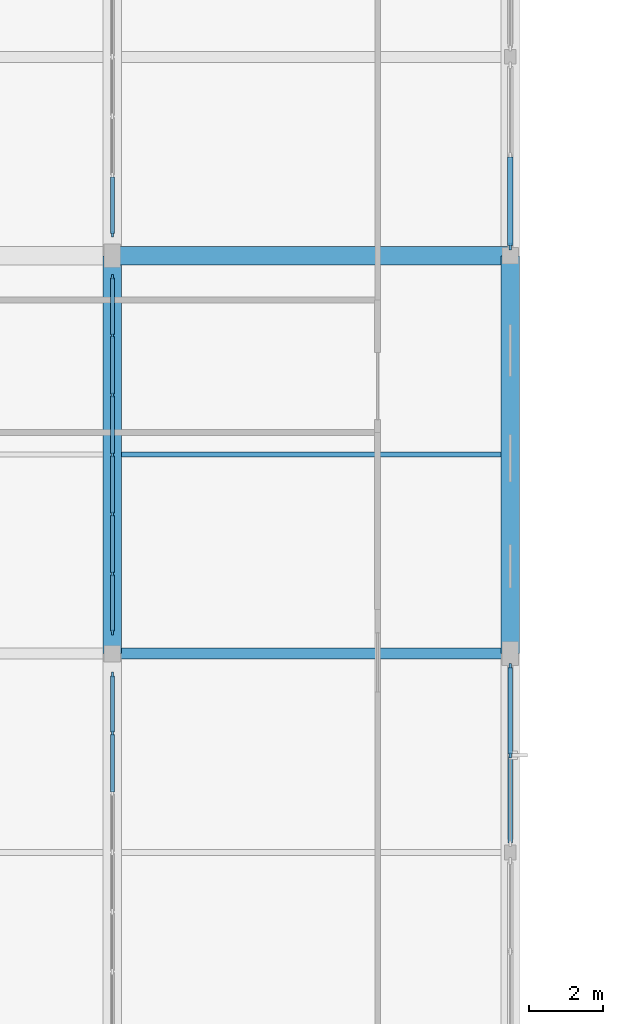
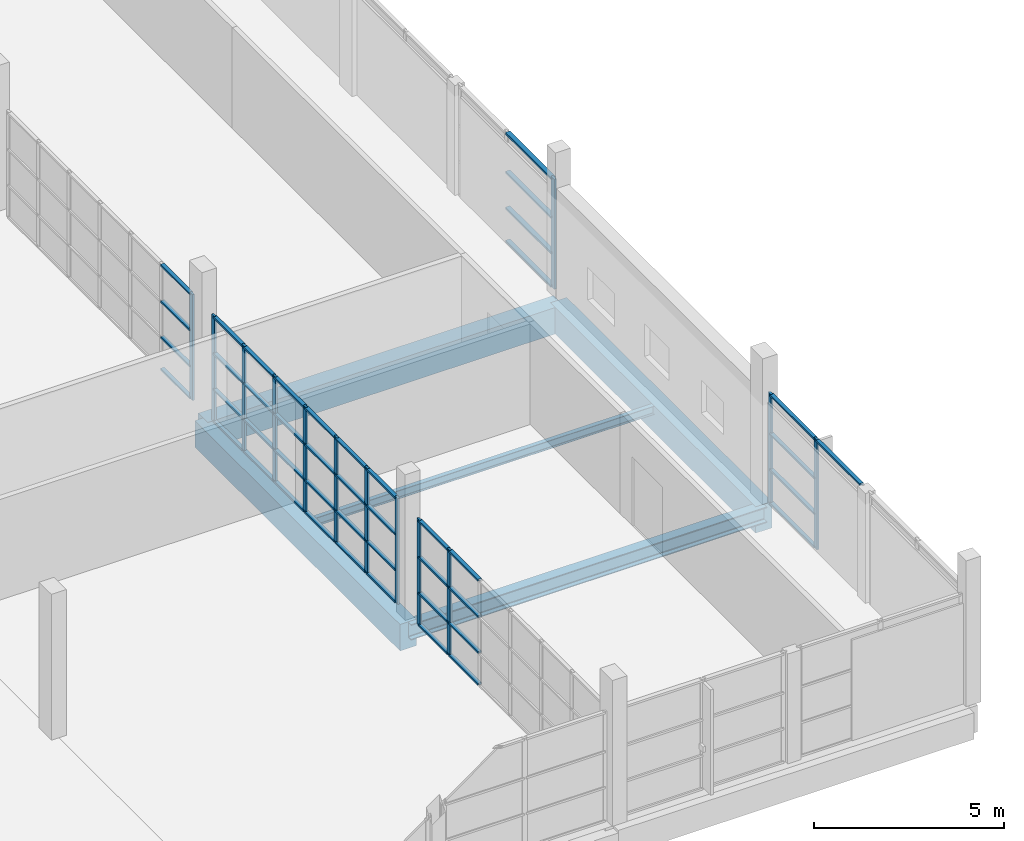
# One storey, part 12 of 142: 58 members, 5 beams, 5 elements without a shape of their own.
"""IFC4 building model written with IfcOpenShell, lengths in metres."""

from ifc_helpers import new_model, si_unit, direction, frame, origin, origin_2d, place, context, subcontext, project, spatial, rectangle, i_section, extrude, material, material_profile, profile_set, type_object, element, aggregate, save


model = new_model("IFC4")

# Units and contexts
model_context = context("Model", 3, precision=1e-05, world=origin(), true_north=direction((0.0, 1.0)))
body_context = subcontext(model_context, "Body", "Model", "MODEL_VIEW")
ifc_project = project(units=[si_unit("LENGTHUNIT", "METRE"), si_unit("AREAUNIT", "SQUARE_METRE"), si_unit("VOLUMEUNIT", "CUBIC_METRE"), si_unit("PLANEANGLEUNIT", "RADIAN"), si_unit("MASSUNIT", "GRAM", prefix="KILO")], contexts=[model_context])

# Site, building, storey
site_placement = place(None, origin())
site = spatial("IfcSite", under=ifc_project, at=site_placement, CompositionType="ELEMENT")
building_placement = place(site_placement, origin())
building = spatial("IfcBuilding", under=site, at=building_placement, Name="Zwinboog Wholesale Market", CompositionType="ELEMENT")
storey_placement = place(building_placement, frame((0.0, 0.0, 5.39990234375)))
storey = spatial("IfcBuildingStorey", under=building, at=storey_placement, Name="L01", CompositionType="ELEMENT", Elevation=5.39990234375)

# Beams
ifc_material_1 = material(Name="Precast concrete C45/55", Category="concrete")
ifc_material_profile_1 = material_profile(ifc_material_1, rectangle(XDim=0.5, YDim=0.85009765625, at=origin_2d()), Name="PC 500x850")
ifc_profile_set_1 = profile_set([ifc_material_profile_1], Name="Precast concrete C45/55")
beam_type_1 = type_object("IfcBeamType", Name="BT-03", PredefinedType="BEAM", material=ifc_profile_set_1)
for number, where, z_axis, x_axis, name in (
    (1, (32.39990234375, 21.60009765625, -0.679931640625), (1.0, 0.0, 0.0), (0.0, 1.0, 0.0), "BG-03 (BMG-L01-0324-0216-0440)"),
    (2, (32.39990234375, 10.800048828125, -0.679931640625), (0.0, 1.0, 0.0), (-1.0, 0.0, 0.0), "BG-03 (BMG-L01-0324-0108-0636)"),
    (3, (43.199951171875, 10.800048828125, -0.679931640625), (0.0, 1.0, 0.0), (-1.0, 0.0, 0.0), "BG-03 (BMG-L01-0432-0108-0648)"),
):
    element("IfcBeam", number, at=place(storey_placement, frame(where, z_axis=z_axis, x_axis=x_axis)), inside=storey, type_object=beam_type_1, Name=name, PredefinedType="BEAM", context=body_context, shape_type="SweptSolid", body=[
        extrude(rectangle(XDim=0.5, YDim=0.85009765625, at=origin_2d()), origin(), (0.0, 0.0, 1.0), 10.800048828125),
    ])
ifc_material_2 = material(Name="Steel S355", Category="steel")
ifc_material_profile_2 = material_profile(ifc_material_2, i_section(OverallWidth=0.300048828125, OverallDepth=0.5, WebThickness=0.014404296875, FlangeThickness=0.028076171875, FilletRadius=0.027099609375, at=origin_2d()), Name="HEB 500")
ifc_profile_set_2 = profile_set([ifc_material_profile_2], Name="Steel S355")
beam_type_2 = type_object("IfcBeamType", Name="BT-14", PredefinedType="BEAM", material=ifc_profile_set_2)
beam_1_placement = place(storey_placement, frame((32.39990234375, 10.800048828125, -0.5048828125), z_axis=(1.0, 0.0, 0.0), x_axis=(0.0, 1.0, 0.0)))
element("IfcBeam", 4, at=beam_1_placement, inside=storey, type_object=beam_type_2, Name="SB-01 (BMG-L01-0324-0108-0428)", PredefinedType="BEAM", context=body_context, shape_type="SweptSolid", body=[
    extrude(i_section(OverallWidth=0.300048828125, OverallDepth=0.5, WebThickness=0.014404296875, FlangeThickness=0.028076171875, FilletRadius=0.027099609375, at=origin_2d()), origin(), (0.0, 0.0, 1.0), 10.800048828125),
])
ifc_material_profile_3 = material_profile(ifc_material_2, i_section(OverallWidth=0.135009765625, OverallDepth=0.27001953125, WebThickness=0.006591796875, FlangeThickness=0.01025390625, FilletRadius=0.014892578125, at=origin_2d()), Name="IPE 270")
ifc_profile_set_3 = profile_set([ifc_material_profile_3], Name="Steel S355")
beam_type_3 = type_object("IfcBeamType", Name="BT-21", PredefinedType="JOIST", material=ifc_profile_set_3)
beam_2_placement = place(storey_placement, frame((32.64990234375, 16.199951171875, -0.389892578125), z_axis=(1.0, 0.0, 0.0), x_axis=(0.0, 1.0, 0.0)))
element("IfcBeam", 5, at=beam_2_placement, inside=storey, type_object=beam_type_3, Name="SJ-04 (BMG-L01-0326-0162-0790)", PredefinedType="JOIST", context=body_context, shape_type="SweptSolid", body=[
    extrude(i_section(OverallWidth=0.135009765625, OverallDepth=0.27001953125, WebThickness=0.006591796875, FlangeThickness=0.01025390625, FilletRadius=0.014892578125, at=origin_2d()), origin(), (0.0, 0.0, 1.0), 10.300048828125),
])

# Curtain wall, member
ifc_material_3 = material(Name="Aluminium thermally broken curtain wall", Category="aluminium")
curtain_wall_type_1 = type_object("IfcCurtainWallType", Name="CWT-STALL-18", PredefinedType="USERDEFINED", material=ifc_material_3)
curtain_wall_1_placement = place(storey_placement, origin())
curtain_wall_1 = element("IfcCurtainWall", 6, at=curtain_wall_1_placement, inside=storey, type_object=curtain_wall_type_1, Name="CW-01 (CW-L01-073)", ObjectType="STOREFRONT_GLAZING", PredefinedType="USERDEFINED")
ifc_material_4 = material(Name="Aluminium EN AW-6060", Category="aluminium")
ifc_material_profile_4 = material_profile(ifc_material_4, rectangle(XDim=0.06494140625, YDim=0.179931640625, at=origin_2d()), Name="AL 65x180")
ifc_profile_set_4 = profile_set([ifc_material_profile_4], Name="Aluminium EN AW-6060")
member_type_1 = type_object("IfcMemberType", Name="CWM-65x180", PredefinedType="MULLION", material=ifc_profile_set_4)
member_1_placement = place(storey_placement, frame((43.199951171875, 21.8525390625, 0.0), z_axis=(0.0, 0.0, 1.0), x_axis=(-1.0, 0.0, 0.0)))
member_1 = element("IfcMember", 7, at=member_1_placement, type_object=member_type_1, Name="CW-01 mullion 1", PredefinedType="MULLION", context=body_context, shape_type="SweptSolid", body=[
    extrude(rectangle(XDim=0.06494140625, YDim=0.179931640625, at=origin_2d()), origin(), (0.0, 0.0, 1.0), 3.530029296875),
])

# Curtain wall, members
curtain_wall_type_2 = type_object("IfcCurtainWallType", Name="CWT-OFF-15", PredefinedType="USERDEFINED", material=ifc_material_3)
curtain_wall_2_placement = place(storey_placement, origin())
curtain_wall_2 = element("IfcCurtainWall", 8, at=curtain_wall_2_placement, inside=storey, type_object=curtain_wall_type_2, Name="CW-06 (CW-L01-072)", ObjectType="UNITIZED_CURTAIN_WALL", PredefinedType="USERDEFINED")
ifc_material_profile_5 = material_profile(ifc_material_4, rectangle(XDim=0.06005859375, YDim=0.14990234375, at=origin_2d()), Name="AL 60x150")
ifc_profile_set_5 = profile_set([ifc_material_profile_5], Name="Aluminium EN AW-6060")
member_type_2 = type_object("IfcMemberType", Name="CWM-60x150", PredefinedType="MULLION", material=ifc_profile_set_5)
member_2_placement = place(storey_placement, frame((43.199951171875, 8.0400390625, 0.0), z_axis=(0.0, 0.0, 1.0), x_axis=(-1.0, 0.0, 0.0)))
member_2 = element("IfcMember", 9, at=member_2_placement, type_object=member_type_2, Name="CW-06 mullion 2", PredefinedType="MULLION", context=body_context, shape_type="SweptSolid", body=[
    extrude(rectangle(XDim=0.06005859375, YDim=0.14990234375, at=origin_2d()), origin(), (0.0, 0.0, 1.0), 3.530029296875),
])
member_3_placement = place(storey_placement, frame((43.199951171875, 10.449951171875, 0.0), z_axis=(0.0, 0.0, 1.0), x_axis=(-1.0, 0.0, 0.0)))
member_3 = element("IfcMember", 10, at=member_3_placement, type_object=member_type_2, Name="CW-06 mullion 3", PredefinedType="MULLION", context=body_context, shape_type="SweptSolid", body=[
    extrude(rectangle(XDim=0.06005859375, YDim=0.14990234375, at=origin_2d()), origin(), (0.0, 0.0, 1.0), 3.530029296875),
])

# Member
ifc_material_profile_6 = material_profile(ifc_material_4, rectangle(XDim=0.139892578125, YDim=0.06494140625, at=origin_2d()), Name="AL 65x140")
ifc_profile_set_6 = profile_set([ifc_material_profile_6], Name="Aluminium EN AW-6060")
member_type_3 = type_object("IfcMemberType", Name="CWT-65x140", PredefinedType="USERDEFINED", material=ifc_profile_set_6)
member_4_placement = place(storey_placement, frame((43.199951171875, 21.885009765625, 0.03271484375), z_axis=(0.0, 1.0, 0.0), x_axis=(-1.0, 0.0, 0.0)))
member_4 = element("IfcMember", 11, at=member_4_placement, type_object=member_type_3, Name="CW-01 transom 1.1", ObjectType="TRANSOM", PredefinedType="USERDEFINED", context=body_context, shape_type="SweptSolid", body=[
    extrude(rectangle(XDim=0.139892578125, YDim=0.06494140625, at=origin_2d()), origin(), (0.0, 0.0, 1.0), 2.392578125),
])

member_5_placement = place(storey_placement, frame((43.199951171875, 21.885009765625, 1.10009765625), z_axis=(0.0, 1.0, 0.0), x_axis=(-1.0, 0.0, 0.0)))
member_5 = element("IfcMember", 12, at=member_5_placement, type_object=member_type_3, Name="CW-01 transom 1.2", ObjectType="TRANSOM", PredefinedType="USERDEFINED", context=body_context, shape_type="SweptSolid", body=[
    extrude(rectangle(XDim=0.139892578125, YDim=0.06494140625, at=origin_2d()), origin(), (0.0, 0.0, 1.0), 2.392578125),
])

member_6_placement = place(storey_placement, frame((43.199951171875, 21.885009765625, 2.25), z_axis=(0.0, 1.0, 0.0), x_axis=(-1.0, 0.0, 0.0)))
member_6 = element("IfcMember", 13, at=member_6_placement, type_object=member_type_3, Name="CW-01 transom 1.3", ObjectType="TRANSOM", PredefinedType="USERDEFINED", context=body_context, shape_type="SweptSolid", body=[
    extrude(rectangle(XDim=0.139892578125, YDim=0.06494140625, at=origin_2d()), origin(), (0.0, 0.0, 1.0), 2.392578125),
])

member_7_placement = place(storey_placement, frame((43.199951171875, 21.885009765625, 3.49755859375), z_axis=(0.0, 1.0, 0.0), x_axis=(-1.0, 0.0, 0.0)))
member_7 = element("IfcMember", 14, at=member_7_placement, type_object=member_type_3, Name="CW-01 transom 1.4", ObjectType="TRANSOM", PredefinedType="USERDEFINED", context=body_context, shape_type="SweptSolid", body=[
    extrude(rectangle(XDim=0.139892578125, YDim=0.06494140625, at=origin_2d()), origin(), (0.0, 0.0, 1.0), 2.392578125),
])

aggregate(curtain_wall_1, [member_1, member_4, member_5, member_6, member_7])

ifc_material_profile_7 = material_profile(ifc_material_4, rectangle(XDim=0.110107421875, YDim=0.06005859375, at=origin_2d()), Name="AL 60x110")
ifc_profile_set_7 = profile_set([ifc_material_profile_7], Name="Aluminium EN AW-6060")
member_type_4 = type_object("IfcMemberType", Name="CWT-60x110", PredefinedType="USERDEFINED", material=ifc_profile_set_7)
member_8_placement = place(storey_placement, frame((43.199951171875, 5.659912109375, 3.5), z_axis=(0.0, 1.0, 0.0), x_axis=(-1.0, 0.0, 0.0)))
member_8 = element("IfcMember", 15, at=member_8_placement, type_object=member_type_4, Name="CW-06 transom 1.4", ObjectType="TRANSOM", PredefinedType="USERDEFINED", context=body_context, shape_type="SweptSolid", body=[
    extrude(rectangle(XDim=0.110107421875, YDim=0.06005859375, at=origin_2d()), origin(), (0.0, 0.0, 1.0), 2.35009765625),
])

member_9_placement = place(storey_placement, frame((43.199951171875, 8.070068359375, 0.030029296875), z_axis=(0.0, 1.0, 0.0), x_axis=(-1.0, 0.0, 0.0)))
member_9 = element("IfcMember", 16, at=member_9_placement, type_object=member_type_4, Name="CW-06 transom 2.1", ObjectType="TRANSOM", PredefinedType="USERDEFINED", context=body_context, shape_type="SweptSolid", body=[
    extrude(rectangle(XDim=0.110107421875, YDim=0.06005859375, at=origin_2d()), origin(), (0.0, 0.0, 1.0), 2.349853515625),
])

member_10_placement = place(storey_placement, frame((43.199951171875, 8.070068359375, 1.10009765625), z_axis=(0.0, 1.0, 0.0), x_axis=(-1.0, 0.0, 0.0)))
member_10 = element("IfcMember", 17, at=member_10_placement, type_object=member_type_4, Name="CW-06 transom 2.2", ObjectType="TRANSOM", PredefinedType="USERDEFINED", context=body_context, shape_type="SweptSolid", body=[
    extrude(rectangle(XDim=0.110107421875, YDim=0.06005859375, at=origin_2d()), origin(), (0.0, 0.0, 1.0), 2.349853515625),
])

member_11_placement = place(storey_placement, frame((43.199951171875, 8.070068359375, 2.25), z_axis=(0.0, 1.0, 0.0), x_axis=(-1.0, 0.0, 0.0)))
member_11 = element("IfcMember", 18, at=member_11_placement, type_object=member_type_4, Name="CW-06 transom 2.3", ObjectType="TRANSOM", PredefinedType="USERDEFINED", context=body_context, shape_type="SweptSolid", body=[
    extrude(rectangle(XDim=0.110107421875, YDim=0.06005859375, at=origin_2d()), origin(), (0.0, 0.0, 1.0), 2.349853515625),
])

member_12_placement = place(storey_placement, frame((43.199951171875, 8.070068359375, 3.5), z_axis=(0.0, 1.0, 0.0), x_axis=(-1.0, 0.0, 0.0)))
member_12 = element("IfcMember", 19, at=member_12_placement, type_object=member_type_4, Name="CW-06 transom 2.4", ObjectType="TRANSOM", PredefinedType="USERDEFINED", context=body_context, shape_type="SweptSolid", body=[
    extrude(rectangle(XDim=0.110107421875, YDim=0.06005859375, at=origin_2d()), origin(), (0.0, 0.0, 1.0), 2.349853515625),
])

aggregate(curtain_wall_2, [member_2, member_3, member_8, member_9, member_10, member_11, member_12])

# Curtain wall, members
curtain_wall_type_3 = type_object("IfcCurtainWallType", Name="CWT-INT-STALL", PredefinedType="USERDEFINED", material=ifc_material_3)
curtain_wall_3_placement = place(storey_placement, origin())
curtain_wall_3 = element("IfcCurtainWall", 20, at=curtain_wall_3_placement, inside=storey, type_object=curtain_wall_type_3, Name="CW-07 (CW-STL-263)", ObjectType="STOREFRONT_GLAZING", PredefinedType="USERDEFINED")
ifc_material_profile_8 = material_profile(ifc_material_4, rectangle(XDim=0.06005859375, YDim=0.14990234375, at=origin_2d()), Name="AL 60x150")
ifc_profile_set_8 = profile_set([ifc_material_profile_8], Name="Aluminium EN AW-6060")
member_type_5 = type_object("IfcMemberType", Name="CWM-INT-60x120", PredefinedType="MULLION", material=ifc_profile_set_8)
member_13_placement = place(storey_placement, frame((32.39990234375, 8.63330078125, 0.0), z_axis=(0.0, 0.0, 1.0), x_axis=(-1.0, 0.0, 0.0)))
member_13 = element("IfcMember", 21, at=member_13_placement, type_object=member_type_5, Name="CW-07 mullion 6", PredefinedType="MULLION", context=body_context, shape_type="SweptSolid", body=[
    extrude(rectangle(XDim=0.06005859375, YDim=0.14990234375, at=origin_2d()), origin(), (0.0, 0.0, 1.0), 3.400146484375),
])
member_14_placement = place(storey_placement, frame((32.39990234375, 10.219970703125, 0.0), z_axis=(0.0, 0.0, 1.0), x_axis=(-1.0, 0.0, 0.0)))
member_14 = element("IfcMember", 22, at=member_14_placement, type_object=member_type_5, Name="CW-07 mullion 7", PredefinedType="MULLION", context=body_context, shape_type="SweptSolid", body=[
    extrude(rectangle(XDim=0.06005859375, YDim=0.14990234375, at=origin_2d()), origin(), (0.0, 0.0, 1.0), 3.400146484375),
])

curtain_wall_4_placement = place(storey_placement, origin())
curtain_wall_4 = element("IfcCurtainWall", 23, at=curtain_wall_4_placement, inside=storey, type_object=curtain_wall_type_3, Name="CW-07 (CW-STL-264)", ObjectType="STOREFRONT_GLAZING", PredefinedType="USERDEFINED")
member_15_placement = place(storey_placement, frame((32.39990234375, 11.3798828125, 0.0), z_axis=(0.0, 0.0, 1.0), x_axis=(-1.0, 0.0, 0.0)))
member_15 = element("IfcMember", 24, at=member_15_placement, type_object=member_type_5, Name="CW-07 mullion 1", PredefinedType="MULLION", context=body_context, shape_type="SweptSolid", body=[
    extrude(rectangle(XDim=0.06005859375, YDim=0.14990234375, at=origin_2d()), origin(), (0.0, 0.0, 1.0), 3.400146484375),
])
member_16_placement = place(storey_placement, frame((32.39990234375, 12.966552734375, 0.0), z_axis=(0.0, 0.0, 1.0), x_axis=(-1.0, 0.0, 0.0)))
member_16 = element("IfcMember", 25, at=member_16_placement, type_object=member_type_5, Name="CW-07 mullion 2", PredefinedType="MULLION", context=body_context, shape_type="SweptSolid", body=[
    extrude(rectangle(XDim=0.06005859375, YDim=0.14990234375, at=origin_2d()), origin(), (0.0, 0.0, 1.0), 3.400146484375),
])
member_17_placement = place(storey_placement, frame((32.39990234375, 14.583251953125, 0.0), z_axis=(0.0, 0.0, 1.0), x_axis=(-1.0, 0.0, 0.0)))
member_17 = element("IfcMember", 26, at=member_17_placement, type_object=member_type_5, Name="CW-07 mullion 3", PredefinedType="MULLION", context=body_context, shape_type="SweptSolid", body=[
    extrude(rectangle(XDim=0.06005859375, YDim=0.14990234375, at=origin_2d()), origin(), (0.0, 0.0, 1.0), 3.400146484375),
])
member_18_placement = place(storey_placement, frame((32.39990234375, 16.199951171875, 0.0), z_axis=(0.0, 0.0, 1.0), x_axis=(-1.0, 0.0, 0.0)))
member_18 = element("IfcMember", 27, at=member_18_placement, type_object=member_type_5, Name="CW-07 mullion 4", PredefinedType="MULLION", context=body_context, shape_type="SweptSolid", body=[
    extrude(rectangle(XDim=0.06005859375, YDim=0.14990234375, at=origin_2d()), origin(), (0.0, 0.0, 1.0), 3.400146484375),
])
member_19_placement = place(storey_placement, frame((32.39990234375, 17.816650390625, 0.0), z_axis=(0.0, 0.0, 1.0), x_axis=(-1.0, 0.0, 0.0)))
member_19 = element("IfcMember", 28, at=member_19_placement, type_object=member_type_5, Name="CW-07 mullion 5", PredefinedType="MULLION", context=body_context, shape_type="SweptSolid", body=[
    extrude(rectangle(XDim=0.06005859375, YDim=0.14990234375, at=origin_2d()), origin(), (0.0, 0.0, 1.0), 3.400146484375),
])
member_20_placement = place(storey_placement, frame((32.39990234375, 19.433349609375, 0.0), z_axis=(0.0, 0.0, 1.0), x_axis=(-1.0, 0.0, 0.0)))
member_20 = element("IfcMember", 29, at=member_20_placement, type_object=member_type_5, Name="CW-07 mullion 6", PredefinedType="MULLION", context=body_context, shape_type="SweptSolid", body=[
    extrude(rectangle(XDim=0.06005859375, YDim=0.14990234375, at=origin_2d()), origin(), (0.0, 0.0, 1.0), 3.400146484375),
])
member_21_placement = place(storey_placement, frame((32.39990234375, 21.02001953125, 0.0), z_axis=(0.0, 0.0, 1.0), x_axis=(-1.0, 0.0, 0.0)))
member_21 = element("IfcMember", 30, at=member_21_placement, type_object=member_type_5, Name="CW-07 mullion 7", PredefinedType="MULLION", context=body_context, shape_type="SweptSolid", body=[
    extrude(rectangle(XDim=0.06005859375, YDim=0.14990234375, at=origin_2d()), origin(), (0.0, 0.0, 1.0), 3.400146484375),
])

# Curtain wall, member
curtain_wall_5_placement = place(storey_placement, origin())
curtain_wall_5 = element("IfcCurtainWall", 31, at=curtain_wall_5_placement, inside=storey, type_object=curtain_wall_type_3, Name="CW-07 (CW-STL-265)", ObjectType="STOREFRONT_GLAZING", PredefinedType="USERDEFINED")
member_22_placement = place(storey_placement, frame((32.39990234375, 22.179931640625, 0.0), z_axis=(0.0, 0.0, 1.0), x_axis=(-1.0, 0.0, 0.0)))
member_22 = element("IfcMember", 32, at=member_22_placement, type_object=member_type_5, Name="CW-07 mullion 1", PredefinedType="MULLION", context=body_context, shape_type="SweptSolid", body=[
    extrude(rectangle(XDim=0.06005859375, YDim=0.14990234375, at=origin_2d()), origin(), (0.0, 0.0, 1.0), 3.400146484375),
])

# Member
ifc_material_profile_9 = material_profile(ifc_material_4, rectangle(XDim=0.110107421875, YDim=0.06005859375, at=origin_2d()), Name="AL 60x110")
ifc_profile_set_9 = profile_set([ifc_material_profile_9], Name="Aluminium EN AW-6060")
member_type_6 = type_object("IfcMemberType", Name="CWT-INT-60x100", PredefinedType="USERDEFINED", material=ifc_profile_set_9)
member_23_placement = place(storey_placement, frame((32.39990234375, 7.046630859375, 0.030029296875), z_axis=(0.0, 1.0, 0.0), x_axis=(-1.0, 0.0, 0.0)))
member_23 = element("IfcMember", 33, at=member_23_placement, type_object=member_type_6, Name="CW-07 transom 5.1", ObjectType="TRANSOM", PredefinedType="USERDEFINED", context=body_context, shape_type="SweptSolid", body=[
    extrude(rectangle(XDim=0.110107421875, YDim=0.06005859375, at=origin_2d()), origin(), (0.0, 0.0, 1.0), 1.556640625),
])

member_24_placement = place(storey_placement, frame((32.39990234375, 7.046630859375, 1.050048828125), z_axis=(0.0, 1.0, 0.0), x_axis=(-1.0, 0.0, 0.0)))
member_24 = element("IfcMember", 34, at=member_24_placement, type_object=member_type_6, Name="CW-07 transom 5.2", ObjectType="TRANSOM", PredefinedType="USERDEFINED", context=body_context, shape_type="SweptSolid", body=[
    extrude(rectangle(XDim=0.110107421875, YDim=0.06005859375, at=origin_2d()), origin(), (0.0, 0.0, 1.0), 1.556640625),
])

member_25_placement = place(storey_placement, frame((32.39990234375, 7.046630859375, 2.2001953125), z_axis=(0.0, 1.0, 0.0), x_axis=(-1.0, 0.0, 0.0)))
member_25 = element("IfcMember", 35, at=member_25_placement, type_object=member_type_6, Name="CW-07 transom 5.3", ObjectType="TRANSOM", PredefinedType="USERDEFINED", context=body_context, shape_type="SweptSolid", body=[
    extrude(rectangle(XDim=0.110107421875, YDim=0.06005859375, at=origin_2d()), origin(), (0.0, 0.0, 1.0), 1.556640625),
])

member_26_placement = place(storey_placement, frame((32.39990234375, 7.046630859375, 3.3701171875), z_axis=(0.0, 1.0, 0.0), x_axis=(-1.0, 0.0, 0.0)))
member_26 = element("IfcMember", 36, at=member_26_placement, type_object=member_type_6, Name="CW-07 transom 5.4", ObjectType="TRANSOM", PredefinedType="USERDEFINED", context=body_context, shape_type="SweptSolid", body=[
    extrude(rectangle(XDim=0.110107421875, YDim=0.06005859375, at=origin_2d()), origin(), (0.0, 0.0, 1.0), 1.556640625),
])

member_27_placement = place(storey_placement, frame((32.39990234375, 8.663330078125, 0.030029296875), z_axis=(0.0, 1.0, 0.0), x_axis=(-1.0, 0.0, 0.0)))
member_27 = element("IfcMember", 37, at=member_27_placement, type_object=member_type_6, Name="CW-07 transom 6.1", ObjectType="TRANSOM", PredefinedType="USERDEFINED", context=body_context, shape_type="SweptSolid", body=[
    extrude(rectangle(XDim=0.110107421875, YDim=0.06005859375, at=origin_2d()), origin(), (0.0, 0.0, 1.0), 1.526611328125),
])

member_28_placement = place(storey_placement, frame((32.39990234375, 8.663330078125, 1.050048828125), z_axis=(0.0, 1.0, 0.0), x_axis=(-1.0, 0.0, 0.0)))
member_28 = element("IfcMember", 38, at=member_28_placement, type_object=member_type_6, Name="CW-07 transom 6.2", ObjectType="TRANSOM", PredefinedType="USERDEFINED", context=body_context, shape_type="SweptSolid", body=[
    extrude(rectangle(XDim=0.110107421875, YDim=0.06005859375, at=origin_2d()), origin(), (0.0, 0.0, 1.0), 1.526611328125),
])

member_29_placement = place(storey_placement, frame((32.39990234375, 8.663330078125, 2.2001953125), z_axis=(0.0, 1.0, 0.0), x_axis=(-1.0, 0.0, 0.0)))
member_29 = element("IfcMember", 39, at=member_29_placement, type_object=member_type_6, Name="CW-07 transom 6.3", ObjectType="TRANSOM", PredefinedType="USERDEFINED", context=body_context, shape_type="SweptSolid", body=[
    extrude(rectangle(XDim=0.110107421875, YDim=0.06005859375, at=origin_2d()), origin(), (0.0, 0.0, 1.0), 1.526611328125),
])

member_30_placement = place(storey_placement, frame((32.39990234375, 8.663330078125, 3.3701171875), z_axis=(0.0, 1.0, 0.0), x_axis=(-1.0, 0.0, 0.0)))
member_30 = element("IfcMember", 40, at=member_30_placement, type_object=member_type_6, Name="CW-07 transom 6.4", ObjectType="TRANSOM", PredefinedType="USERDEFINED", context=body_context, shape_type="SweptSolid", body=[
    extrude(rectangle(XDim=0.110107421875, YDim=0.06005859375, at=origin_2d()), origin(), (0.0, 0.0, 1.0), 1.526611328125),
])

aggregate(curtain_wall_3, [member_13, member_14, member_23, member_24, member_25, member_26, member_27, member_28, member_29, member_30])

member_31_placement = place(storey_placement, frame((32.39990234375, 11.409912109375, 0.030029296875), z_axis=(0.0, 1.0, 0.0), x_axis=(-1.0, 0.0, 0.0)))
member_31 = element("IfcMember", 41, at=member_31_placement, type_object=member_type_6, Name="CW-07 transom 1.1", ObjectType="TRANSOM", PredefinedType="USERDEFINED", context=body_context, shape_type="SweptSolid", body=[
    extrude(rectangle(XDim=0.110107421875, YDim=0.06005859375, at=origin_2d()), origin(), (0.0, 0.0, 1.0), 1.52685546875),
])

member_32_placement = place(storey_placement, frame((32.39990234375, 11.409912109375, 1.050048828125), z_axis=(0.0, 1.0, 0.0), x_axis=(-1.0, 0.0, 0.0)))
member_32 = element("IfcMember", 42, at=member_32_placement, type_object=member_type_6, Name="CW-07 transom 1.2", ObjectType="TRANSOM", PredefinedType="USERDEFINED", context=body_context, shape_type="SweptSolid", body=[
    extrude(rectangle(XDim=0.110107421875, YDim=0.06005859375, at=origin_2d()), origin(), (0.0, 0.0, 1.0), 1.52685546875),
])

member_33_placement = place(storey_placement, frame((32.39990234375, 11.409912109375, 2.2001953125), z_axis=(0.0, 1.0, 0.0), x_axis=(-1.0, 0.0, 0.0)))
member_33 = element("IfcMember", 43, at=member_33_placement, type_object=member_type_6, Name="CW-07 transom 1.3", ObjectType="TRANSOM", PredefinedType="USERDEFINED", context=body_context, shape_type="SweptSolid", body=[
    extrude(rectangle(XDim=0.110107421875, YDim=0.06005859375, at=origin_2d()), origin(), (0.0, 0.0, 1.0), 1.52685546875),
])

member_34_placement = place(storey_placement, frame((32.39990234375, 11.409912109375, 3.3701171875), z_axis=(0.0, 1.0, 0.0), x_axis=(-1.0, 0.0, 0.0)))
member_34 = element("IfcMember", 44, at=member_34_placement, type_object=member_type_6, Name="CW-07 transom 1.4", ObjectType="TRANSOM", PredefinedType="USERDEFINED", context=body_context, shape_type="SweptSolid", body=[
    extrude(rectangle(XDim=0.110107421875, YDim=0.06005859375, at=origin_2d()), origin(), (0.0, 0.0, 1.0), 1.52685546875),
])

member_35_placement = place(storey_placement, frame((32.39990234375, 12.99658203125, 0.030029296875), z_axis=(0.0, 1.0, 0.0), x_axis=(-1.0, 0.0, 0.0)))
member_35 = element("IfcMember", 45, at=member_35_placement, type_object=member_type_6, Name="CW-07 transom 2.1", ObjectType="TRANSOM", PredefinedType="USERDEFINED", context=body_context, shape_type="SweptSolid", body=[
    extrude(rectangle(XDim=0.110107421875, YDim=0.06005859375, at=origin_2d()), origin(), (0.0, 0.0, 1.0), 1.556640625),
])

member_36_placement = place(storey_placement, frame((32.39990234375, 12.99658203125, 1.050048828125), z_axis=(0.0, 1.0, 0.0), x_axis=(-1.0, 0.0, 0.0)))
member_36 = element("IfcMember", 46, at=member_36_placement, type_object=member_type_6, Name="CW-07 transom 2.2", ObjectType="TRANSOM", PredefinedType="USERDEFINED", context=body_context, shape_type="SweptSolid", body=[
    extrude(rectangle(XDim=0.110107421875, YDim=0.06005859375, at=origin_2d()), origin(), (0.0, 0.0, 1.0), 1.556640625),
])

member_37_placement = place(storey_placement, frame((32.39990234375, 12.99658203125, 2.2001953125), z_axis=(0.0, 1.0, 0.0), x_axis=(-1.0, 0.0, 0.0)))
member_37 = element("IfcMember", 47, at=member_37_placement, type_object=member_type_6, Name="CW-07 transom 2.3", ObjectType="TRANSOM", PredefinedType="USERDEFINED", context=body_context, shape_type="SweptSolid", body=[
    extrude(rectangle(XDim=0.110107421875, YDim=0.06005859375, at=origin_2d()), origin(), (0.0, 0.0, 1.0), 1.556640625),
])

member_38_placement = place(storey_placement, frame((32.39990234375, 12.99658203125, 3.3701171875), z_axis=(0.0, 1.0, 0.0), x_axis=(-1.0, 0.0, 0.0)))
member_38 = element("IfcMember", 48, at=member_38_placement, type_object=member_type_6, Name="CW-07 transom 2.4", ObjectType="TRANSOM", PredefinedType="USERDEFINED", context=body_context, shape_type="SweptSolid", body=[
    extrude(rectangle(XDim=0.110107421875, YDim=0.06005859375, at=origin_2d()), origin(), (0.0, 0.0, 1.0), 1.556640625),
])

member_39_placement = place(storey_placement, frame((32.39990234375, 14.61328125, 0.030029296875), z_axis=(0.0, 1.0, 0.0), x_axis=(-1.0, 0.0, 0.0)))
member_39 = element("IfcMember", 49, at=member_39_placement, type_object=member_type_6, Name="CW-07 transom 3.1", ObjectType="TRANSOM", PredefinedType="USERDEFINED", context=body_context, shape_type="SweptSolid", body=[
    extrude(rectangle(XDim=0.110107421875, YDim=0.06005859375, at=origin_2d()), origin(), (0.0, 0.0, 1.0), 1.556640625),
])

member_40_placement = place(storey_placement, frame((32.39990234375, 14.61328125, 1.050048828125), z_axis=(0.0, 1.0, 0.0), x_axis=(-1.0, 0.0, 0.0)))
member_40 = element("IfcMember", 50, at=member_40_placement, type_object=member_type_6, Name="CW-07 transom 3.2", ObjectType="TRANSOM", PredefinedType="USERDEFINED", context=body_context, shape_type="SweptSolid", body=[
    extrude(rectangle(XDim=0.110107421875, YDim=0.06005859375, at=origin_2d()), origin(), (0.0, 0.0, 1.0), 1.556640625),
])

member_41_placement = place(storey_placement, frame((32.39990234375, 14.61328125, 2.2001953125), z_axis=(0.0, 1.0, 0.0), x_axis=(-1.0, 0.0, 0.0)))
member_41 = element("IfcMember", 51, at=member_41_placement, type_object=member_type_6, Name="CW-07 transom 3.3", ObjectType="TRANSOM", PredefinedType="USERDEFINED", context=body_context, shape_type="SweptSolid", body=[
    extrude(rectangle(XDim=0.110107421875, YDim=0.06005859375, at=origin_2d()), origin(), (0.0, 0.0, 1.0), 1.556640625),
])

member_42_placement = place(storey_placement, frame((32.39990234375, 14.61328125, 3.3701171875), z_axis=(0.0, 1.0, 0.0), x_axis=(-1.0, 0.0, 0.0)))
member_42 = element("IfcMember", 52, at=member_42_placement, type_object=member_type_6, Name="CW-07 transom 3.4", ObjectType="TRANSOM", PredefinedType="USERDEFINED", context=body_context, shape_type="SweptSolid", body=[
    extrude(rectangle(XDim=0.110107421875, YDim=0.06005859375, at=origin_2d()), origin(), (0.0, 0.0, 1.0), 1.556640625),
])

member_43_placement = place(storey_placement, frame((32.39990234375, 16.22998046875, 0.030029296875), z_axis=(0.0, 1.0, 0.0), x_axis=(-1.0, 0.0, 0.0)))
member_43 = element("IfcMember", 53, at=member_43_placement, type_object=member_type_6, Name="CW-07 transom 4.1", ObjectType="TRANSOM", PredefinedType="USERDEFINED", context=body_context, shape_type="SweptSolid", body=[
    extrude(rectangle(XDim=0.110107421875, YDim=0.06005859375, at=origin_2d()), origin(), (0.0, 0.0, 1.0), 1.556640625),
])

member_44_placement = place(storey_placement, frame((32.39990234375, 16.22998046875, 1.050048828125), z_axis=(0.0, 1.0, 0.0), x_axis=(-1.0, 0.0, 0.0)))
member_44 = element("IfcMember", 54, at=member_44_placement, type_object=member_type_6, Name="CW-07 transom 4.2", ObjectType="TRANSOM", PredefinedType="USERDEFINED", context=body_context, shape_type="SweptSolid", body=[
    extrude(rectangle(XDim=0.110107421875, YDim=0.06005859375, at=origin_2d()), origin(), (0.0, 0.0, 1.0), 1.556640625),
])

member_45_placement = place(storey_placement, frame((32.39990234375, 16.22998046875, 2.2001953125), z_axis=(0.0, 1.0, 0.0), x_axis=(-1.0, 0.0, 0.0)))
member_45 = element("IfcMember", 55, at=member_45_placement, type_object=member_type_6, Name="CW-07 transom 4.3", ObjectType="TRANSOM", PredefinedType="USERDEFINED", context=body_context, shape_type="SweptSolid", body=[
    extrude(rectangle(XDim=0.110107421875, YDim=0.06005859375, at=origin_2d()), origin(), (0.0, 0.0, 1.0), 1.556640625),
])

member_46_placement = place(storey_placement, frame((32.39990234375, 16.22998046875, 3.3701171875), z_axis=(0.0, 1.0, 0.0), x_axis=(-1.0, 0.0, 0.0)))
member_46 = element("IfcMember", 56, at=member_46_placement, type_object=member_type_6, Name="CW-07 transom 4.4", ObjectType="TRANSOM", PredefinedType="USERDEFINED", context=body_context, shape_type="SweptSolid", body=[
    extrude(rectangle(XDim=0.110107421875, YDim=0.06005859375, at=origin_2d()), origin(), (0.0, 0.0, 1.0), 1.556640625),
])

member_47_placement = place(storey_placement, frame((32.39990234375, 17.8466796875, 0.030029296875), z_axis=(0.0, 1.0, 0.0), x_axis=(-1.0, 0.0, 0.0)))
member_47 = element("IfcMember", 57, at=member_47_placement, type_object=member_type_6, Name="CW-07 transom 5.1", ObjectType="TRANSOM", PredefinedType="USERDEFINED", context=body_context, shape_type="SweptSolid", body=[
    extrude(rectangle(XDim=0.110107421875, YDim=0.06005859375, at=origin_2d()), origin(), (0.0, 0.0, 1.0), 1.556640625),
])

member_48_placement = place(storey_placement, frame((32.39990234375, 17.8466796875, 1.050048828125), z_axis=(0.0, 1.0, 0.0), x_axis=(-1.0, 0.0, 0.0)))
member_48 = element("IfcMember", 58, at=member_48_placement, type_object=member_type_6, Name="CW-07 transom 5.2", ObjectType="TRANSOM", PredefinedType="USERDEFINED", context=body_context, shape_type="SweptSolid", body=[
    extrude(rectangle(XDim=0.110107421875, YDim=0.06005859375, at=origin_2d()), origin(), (0.0, 0.0, 1.0), 1.556640625),
])

member_49_placement = place(storey_placement, frame((32.39990234375, 17.8466796875, 2.2001953125), z_axis=(0.0, 1.0, 0.0), x_axis=(-1.0, 0.0, 0.0)))
member_49 = element("IfcMember", 59, at=member_49_placement, type_object=member_type_6, Name="CW-07 transom 5.3", ObjectType="TRANSOM", PredefinedType="USERDEFINED", context=body_context, shape_type="SweptSolid", body=[
    extrude(rectangle(XDim=0.110107421875, YDim=0.06005859375, at=origin_2d()), origin(), (0.0, 0.0, 1.0), 1.556640625),
])

member_50_placement = place(storey_placement, frame((32.39990234375, 17.8466796875, 3.3701171875), z_axis=(0.0, 1.0, 0.0), x_axis=(-1.0, 0.0, 0.0)))
member_50 = element("IfcMember", 60, at=member_50_placement, type_object=member_type_6, Name="CW-07 transom 5.4", ObjectType="TRANSOM", PredefinedType="USERDEFINED", context=body_context, shape_type="SweptSolid", body=[
    extrude(rectangle(XDim=0.110107421875, YDim=0.06005859375, at=origin_2d()), origin(), (0.0, 0.0, 1.0), 1.556640625),
])

member_51_placement = place(storey_placement, frame((32.39990234375, 19.46337890625, 0.030029296875), z_axis=(0.0, 1.0, 0.0), x_axis=(-1.0, 0.0, 0.0)))
member_51 = element("IfcMember", 61, at=member_51_placement, type_object=member_type_6, Name="CW-07 transom 6.1", ObjectType="TRANSOM", PredefinedType="USERDEFINED", context=body_context, shape_type="SweptSolid", body=[
    extrude(rectangle(XDim=0.110107421875, YDim=0.06005859375, at=origin_2d()), origin(), (0.0, 0.0, 1.0), 1.526611328125),
])

member_52_placement = place(storey_placement, frame((32.39990234375, 19.46337890625, 1.050048828125), z_axis=(0.0, 1.0, 0.0), x_axis=(-1.0, 0.0, 0.0)))
member_52 = element("IfcMember", 62, at=member_52_placement, type_object=member_type_6, Name="CW-07 transom 6.2", ObjectType="TRANSOM", PredefinedType="USERDEFINED", context=body_context, shape_type="SweptSolid", body=[
    extrude(rectangle(XDim=0.110107421875, YDim=0.06005859375, at=origin_2d()), origin(), (0.0, 0.0, 1.0), 1.526611328125),
])

member_53_placement = place(storey_placement, frame((32.39990234375, 19.46337890625, 2.2001953125), z_axis=(0.0, 1.0, 0.0), x_axis=(-1.0, 0.0, 0.0)))
member_53 = element("IfcMember", 63, at=member_53_placement, type_object=member_type_6, Name="CW-07 transom 6.3", ObjectType="TRANSOM", PredefinedType="USERDEFINED", context=body_context, shape_type="SweptSolid", body=[
    extrude(rectangle(XDim=0.110107421875, YDim=0.06005859375, at=origin_2d()), origin(), (0.0, 0.0, 1.0), 1.526611328125),
])

member_54_placement = place(storey_placement, frame((32.39990234375, 19.46337890625, 3.3701171875), z_axis=(0.0, 1.0, 0.0), x_axis=(-1.0, 0.0, 0.0)))
member_54 = element("IfcMember", 64, at=member_54_placement, type_object=member_type_6, Name="CW-07 transom 6.4", ObjectType="TRANSOM", PredefinedType="USERDEFINED", context=body_context, shape_type="SweptSolid", body=[
    extrude(rectangle(XDim=0.110107421875, YDim=0.06005859375, at=origin_2d()), origin(), (0.0, 0.0, 1.0), 1.526611328125),
])

aggregate(curtain_wall_4, [member_15, member_16, member_17, member_18, member_19, member_20, member_21, member_31, member_32, member_33, member_34, member_35, member_36, member_37, member_38, member_39, member_40, member_41, member_42, member_43, member_44, member_45, member_46, member_47, member_48, member_49, member_50, member_51, member_52, member_53, member_54])

member_55_placement = place(storey_placement, frame((32.39990234375, 22.2099609375, 0.030029296875), z_axis=(0.0, 1.0, 0.0), x_axis=(-1.0, 0.0, 0.0)))
member_55 = element("IfcMember", 65, at=member_55_placement, type_object=member_type_6, Name="CW-07 transom 1.1", ObjectType="TRANSOM", PredefinedType="USERDEFINED", context=body_context, shape_type="SweptSolid", body=[
    extrude(rectangle(XDim=0.110107421875, YDim=0.06005859375, at=origin_2d()), origin(), (0.0, 0.0, 1.0), 1.526611328125),
])

member_56_placement = place(storey_placement, frame((32.39990234375, 22.2099609375, 1.050048828125), z_axis=(0.0, 1.0, 0.0), x_axis=(-1.0, 0.0, 0.0)))
member_56 = element("IfcMember", 66, at=member_56_placement, type_object=member_type_6, Name="CW-07 transom 1.2", ObjectType="TRANSOM", PredefinedType="USERDEFINED", context=body_context, shape_type="SweptSolid", body=[
    extrude(rectangle(XDim=0.110107421875, YDim=0.06005859375, at=origin_2d()), origin(), (0.0, 0.0, 1.0), 1.526611328125),
])

member_57_placement = place(storey_placement, frame((32.39990234375, 22.2099609375, 2.2001953125), z_axis=(0.0, 1.0, 0.0), x_axis=(-1.0, 0.0, 0.0)))
member_57 = element("IfcMember", 67, at=member_57_placement, type_object=member_type_6, Name="CW-07 transom 1.3", ObjectType="TRANSOM", PredefinedType="USERDEFINED", context=body_context, shape_type="SweptSolid", body=[
    extrude(rectangle(XDim=0.110107421875, YDim=0.06005859375, at=origin_2d()), origin(), (0.0, 0.0, 1.0), 1.526611328125),
])

member_58_placement = place(storey_placement, frame((32.39990234375, 22.2099609375, 3.3701171875), z_axis=(0.0, 1.0, 0.0), x_axis=(-1.0, 0.0, 0.0)))
member_58 = element("IfcMember", 68, at=member_58_placement, type_object=member_type_6, Name="CW-07 transom 1.4", ObjectType="TRANSOM", PredefinedType="USERDEFINED", context=body_context, shape_type="SweptSolid", body=[
    extrude(rectangle(XDim=0.110107421875, YDim=0.06005859375, at=origin_2d()), origin(), (0.0, 0.0, 1.0), 1.526611328125),
])

aggregate(curtain_wall_5, [member_22, member_55, member_56, member_57, member_58])

save(model, "model.ifc")
